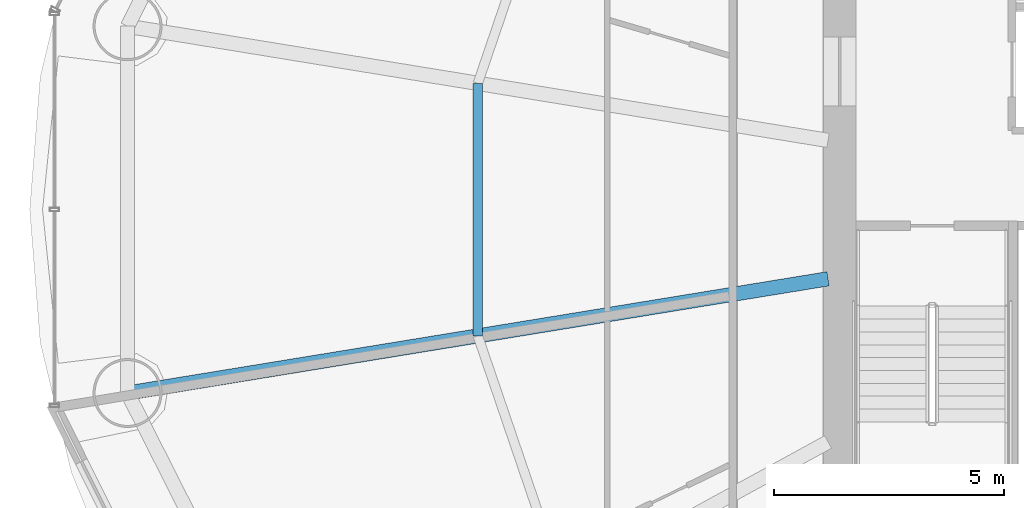
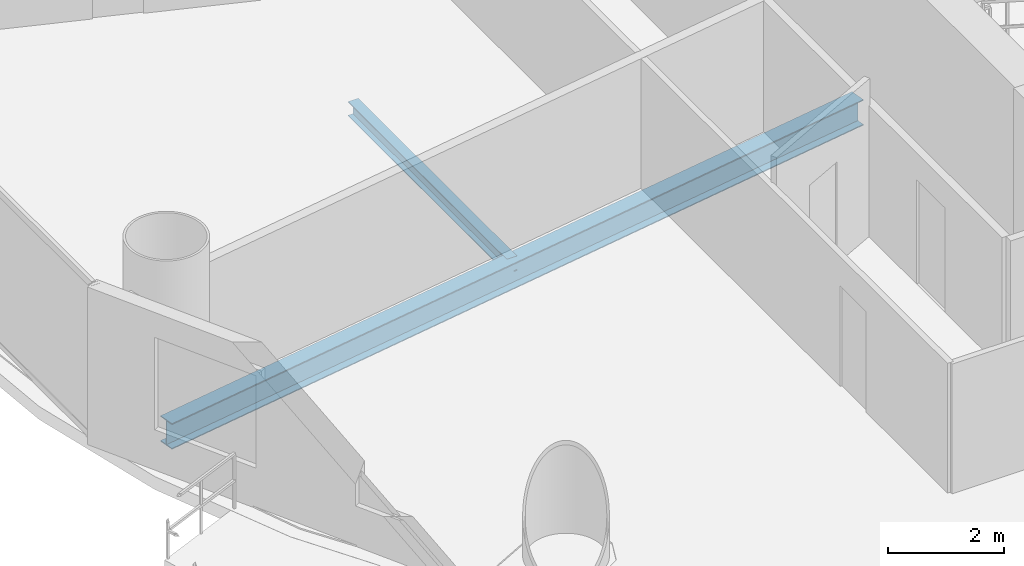
# One storey, part 8 of 29: 2 beams.
"""IFC4 building model written with IfcOpenShell, lengths in metres."""

import ifcopenshell
import ifcopenshell.guid

model = None  # the IFC model being written
_history = None  # IfcOwnerHistory: only IFC2X3 demands one
_inside = {}  # id of a spatial element -> (the spatial element, [elements in it])
_under = {}  # id of a project, library or spatial element -> (it, [spatial elements below it])
_declared = {}  # id of a project -> (the project, [libraries it declares])
_typed = {}  # id of a type object -> (the type object, [elements of that type])
_made_of = {}  # id of a material, layer set ... -> (it, [elements and type objects made of it])


def new_model(schema):
    """Start an empty IFC model of exactly this schema.

    Asked for "IFC4X3", IfcOpenShell would pick the latest addendum, in which some entities
    have other attributes; the version numbers below select the first issue.
    IFC2X3 requires an IfcOwnerHistory on every rooted entity: one is made here for all.
    """
    global model, _history
    if schema == "IFC4X3":
        model = ifcopenshell.file(schema_version=(4, 3, 0, 0))
    else:
        model = ifcopenshell.file(schema=schema)
    _inside.clear()
    _under.clear()
    _declared.clear()
    _typed.clear()
    _made_of.clear()
    _history = None
    if model.schema == "IFC2X3":
        org = make("IfcOrganization", Name="unknown")
        user = make(
            "IfcPersonAndOrganization",
            ThePerson=make("IfcPerson", FamilyName="unknown"),
            TheOrganization=org,
        )
        app = make(
            "IfcApplication",
            ApplicationDeveloper=org,
            Version="unknown",
            ApplicationFullName="unknown",
            ApplicationIdentifier="unknown",
        )
        _history = make(
            "IfcOwnerHistory",
            OwningUser=user,
            OwningApplication=app,
            ChangeAction="ADDED",
            CreationDate=0,
        )
    return model


def make(cls, **values):
    """One entity of the class cls with the attributes given. An attribute that is None is left unset."""
    return model.create_entity(
        cls, **{name: value for name, value in values.items() if value is not None}
    )


def rooted(cls, **values):
    """An entity with a GlobalId (a new one), such as an element, a storey or a relation."""
    return make(cls, GlobalId=ifcopenshell.guid.new(), OwnerHistory=_history, **values)


def si_unit(unit_type, name, prefix=None):
    """IfcSIUnit, for example si_unit("LENGTHUNIT", "METRE", prefix="MILLI")."""
    return make("IfcSIUnit", UnitType=unit_type, Prefix=prefix, Name=name)


def assignment(units):
    """IfcUnitAssignment: the units of a project."""
    return None if units is None else make("IfcUnitAssignment", Units=units)


def point(xyz):
    """IfcCartesianPoint."""
    return None if xyz is None else make("IfcCartesianPoint", Coordinates=xyz)


def direction(xyz):
    """IfcDirection."""
    return None if xyz is None else make("IfcDirection", DirectionRatios=xyz)


def frame(location, z_axis=None, x_axis=None):
    """IfcAxis2Placement3D, a coordinate frame: its origin and axes. An axis left out is left unset."""
    return make(
        "IfcAxis2Placement3D",
        Location=point(location),
        Axis=direction(z_axis),
        RefDirection=direction(x_axis),
    )


def frame_2d(location, x_axis=None):
    """IfcAxis2Placement2D, a coordinate frame in the plane: its origin and x axis."""
    return make(
        "IfcAxis2Placement2D", Location=point(location), RefDirection=direction(x_axis)
    )


def origin():
    """The frame at (0, 0, 0) with its axes left unset."""
    return frame((0.0, 0.0, 0.0))


def origin_2d():
    """The frame at (0, 0) in the plane with its x axis left unset."""
    return frame_2d((0.0, 0.0))


def place(relative_to, where):
    """IfcLocalPlacement: puts the frame where relative to a parent placement (None: the world)."""
    return make(
        "IfcLocalPlacement", PlacementRelTo=relative_to, RelativePlacement=where
    )


def context(
    kind, dimensions, precision=None, world=None, true_north=None, identifier=None
):
    """IfcGeometricRepresentationContext, for example the 3D "Model" context."""
    return make(
        "IfcGeometricRepresentationContext",
        ContextIdentifier=identifier,
        ContextType=kind,
        CoordinateSpaceDimension=dimensions,
        Precision=precision,
        WorldCoordinateSystem=world,
        TrueNorth=true_north,
    )


def subcontext(parent, identifier, kind, view, scale=None):
    """IfcGeometricRepresentationSubContext, for example "Body" below "Model"."""
    return make(
        "IfcGeometricRepresentationSubContext",
        ContextIdentifier=identifier,
        ContextType=kind,
        ParentContext=parent,
        TargetScale=scale,
        TargetView=view,
    )


def project(units=None, contexts=None):
    """IfcProject with its units and contexts."""
    return rooted(
        "IfcProject",
        Name="project",
        RepresentationContexts=contexts,
        UnitsInContext=assignment(units),
    )


def spatial(cls, under=None, at=None, **own):
    """A site, building, storey or space (cls), placed at a placement, below another one or the project."""
    s = rooted(cls, ObjectPlacement=at, **own)
    if under is not None:
        _under.setdefault(under.id(), (under, []))[1].append(s)
    return s


def profile(cls, at=None, kind="AREA", **sizes):
    """A parametric profile (cls). Its sizes go by their IFC names, for example OverallWidth=200.0."""
    return make(cls, ProfileType=kind, Position=at, **sizes)


def i_section(**sizes):
    """IfcIShapeProfileDef."""
    return profile("IfcIShapeProfileDef", **sizes)


def extrude(swept, where, along, depth):
    """IfcExtrudedAreaSolid: the profile swept, set in the frame where, extruded along a direction by depth."""
    return make(
        "IfcExtrudedAreaSolid",
        SweptArea=swept,
        Position=where,
        ExtrudedDirection=direction(along),
        Depth=depth,
    )


def shape(context_of_items, identifier, shape_type, items):
    """IfcShapeRepresentation: the items that make up one representation, for example the "Body"."""
    return make(
        "IfcShapeRepresentation",
        ContextOfItems=context_of_items,
        RepresentationIdentifier=identifier,
        RepresentationType=shape_type,
        Items=items,
    )


def material(Name=None, Category=None):
    """IfcMaterial."""
    return make("IfcMaterial", Name=Name, Category=Category)


def material_profile(
    of_material, cross_section, Name=None, Category=None, Priority=None
):
    """IfcMaterialProfile: a cross section and its material."""
    return make(
        "IfcMaterialProfile",
        Name=Name,
        Material=of_material,
        Profile=cross_section,
        Priority=Priority,
        Category=Category,
    )


def profile_set(profiles, Name=None, composite=None):
    """IfcMaterialProfileSet."""
    return make(
        "IfcMaterialProfileSet",
        Name=Name,
        MaterialProfiles=profiles,
        CompositeProfile=composite,
    )


def made_of(thing, what):
    """Note that an element or type object is made of a material, layer set ...; save() writes the relation."""
    if what is not None:
        _made_of.setdefault(what.id(), (what, []))[1].append(thing)
    return thing


def type_object(cls, material=None, **own):
    """A type object (cls), such as IfcWallType, which elements share."""
    return made_of(rooted(cls, **own), material)


def element(
    cls,
    number,
    at=None,
    inside=None,
    cuts=None,
    type_object=None,
    material=None,
    context=None,
    identifier="Body",
    shape_type=None,
    held_by="IfcProductDefinitionShape",
    body=None,
    shapes=None,
    **own,
):
    """One element of the class cls, such as IfcWall. Its Tag is "e" and its number.

    at: its placement. inside: the storey or other place that contains it. cuts: it is an
    opening in that element (IfcRelVoidsElement). A single representation is given by context,
    identifier, shape_type and body (its items); several are given by shapes. held_by: the class
    of the entity that holds the representations. save() writes the other relations.
    """
    e = rooted(cls, Tag="e%d" % number, ObjectPlacement=at, **own)
    if body is not None:
        shapes = [shape(context, identifier, shape_type, body)]
    if shapes is not None:
        e.Representation = make(held_by, Representations=shapes)
    if inside is not None:
        _inside.setdefault(inside.id(), (inside, []))[1].append(e)
    if cuts is not None:
        rooted(
            "IfcRelVoidsElement", RelatingBuildingElement=cuts, RelatedOpeningElement=e
        )
    if type_object is not None:
        _typed.setdefault(type_object.id(), (type_object, []))[1].append(e)
    return made_of(e, material)


def aggregate(whole, parts):
    """IfcRelAggregates: a whole, such as a stair, and the parts it consists of."""
    return rooted("IfcRelAggregates", RelatingObject=whole, RelatedObjects=parts)


def save(model, path):
    """Write the relations noted so far, then the file.

    IfcRelAggregates (storeys below a building ...), IfcRelContainedInSpatialStructure (elements
    in a storey), IfcRelDefinesByType, IfcRelAssociatesMaterial and IfcRelDeclares: one each for
    every whole, place, type object, material and project.
    """
    for whole, parts in _under.values():
        aggregate(whole, parts)
    for where, things in _inside.values():
        rooted(
            "IfcRelContainedInSpatialStructure",
            RelatedElements=things,
            RelatingStructure=where,
        )
    for kind, things in _typed.values():
        rooted("IfcRelDefinesByType", RelatedObjects=things, RelatingType=kind)
    for what, things in _made_of.values():
        rooted("IfcRelAssociatesMaterial", RelatedObjects=things, RelatingMaterial=what)
    for by, libraries in _declared.values():
        rooted("IfcRelDeclares", RelatingContext=by, RelatedDefinitions=libraries)
    model.write(path)


model = new_model("IFC4")

# Units and contexts
model_context = context("Model", 3, precision=1e-05, world=origin(), true_north=direction((-0.2419218956, 0.970295726276)))
body_context = subcontext(model_context, "Body", "Model", "MODEL_VIEW")
ifc_project = project(units=[si_unit("LENGTHUNIT", "METRE"), si_unit("AREAUNIT", "SQUARE_METRE"), si_unit("VOLUMEUNIT", "CUBIC_METRE"), si_unit("PLANEANGLEUNIT", "RADIAN"), si_unit("MASSUNIT", "GRAM", prefix="KILO")], contexts=[model_context])

# Site, building, storey
site_placement = place(None, origin())
site = spatial("IfcSite", under=ifc_project, at=site_placement, CompositionType="ELEMENT")
building_placement = place(site_placement, origin())
building = spatial("IfcBuilding", under=site, at=building_placement, Name="Cobrevalo Terracotta Tower", CompositionType="ELEMENT")
storey_placement = place(building_placement, frame((0.0, 0.0, 79.800048828125)))
storey = spatial("IfcBuildingStorey", under=building, at=storey_placement, Name="L20", CompositionType="ELEMENT", Elevation=79.800048828125)

# Beams
ifc_material = material(Name="Steel S355", Category="steel")
ifc_material_profile_1 = material_profile(ifc_material, i_section(OverallWidth=0.31201171875, OverallDepth=0.54296875, WebThickness=0.0126953125, FlangeThickness=0.020263671875, at=origin_2d()), Name="W 530x150")
ifc_profile_set_1 = profile_set([ifc_material_profile_1], Name="Steel S355")
beam_type_1 = type_object("IfcBeamType", Name="Structural Beam W 530x150 (Steel S355)", PredefinedType="BEAM", material=ifc_profile_set_1)
beam_1_placement = place(storey_placement, frame((13.529296875, 22.810302734375, -0.546630859375), z_axis=(0.986968056587, 0.160916298977, 0.0), x_axis=(-0.160916298977, 0.986968056587, 0.0)))
element("IfcBeam", 1, at=beam_1_placement, inside=storey, type_object=beam_type_1, Name="L20 radial floor girder 09", PredefinedType="BEAM", context=body_context, shape_type="SweptSolid", body=[
    extrude(i_section(OverallWidth=0.31201171875, OverallDepth=0.54296875, WebThickness=0.0126953125, FlangeThickness=0.020263671875, at=origin_2d()), origin(), (0.0, 0.0, 1.0), 15.44189453125),
])
ifc_material_profile_2 = material_profile(ifc_material, i_section(OverallWidth=0.2041015625, OverallDepth=0.305908203125, WebThickness=0.008544921875, FlangeThickness=0.0146484375, at=origin_2d()), Name="W 310x67")
ifc_profile_set_2 = profile_set([ifc_material_profile_2], Name="Steel S355")
beam_type_2 = type_object("IfcBeamType", Name="Structural Joist W 310x67 (Steel S355)", PredefinedType="JOIST", material=ifc_profile_set_2)
beam_2_placement = place(storey_placement, frame((21.149658203125, 29.547119140625, -0.427978515625), z_axis=(0.0, -1.0, 0.0), x_axis=(1.0, 0.0, 0.0)))
element("IfcBeam", 2, at=beam_2_placement, inside=storey, type_object=beam_type_2, Name="L20 circumferential secondary floor joist 08", PredefinedType="JOIST", context=body_context, shape_type="SweptSolid", body=[
    extrude(i_section(OverallWidth=0.2041015625, OverallDepth=0.305908203125, WebThickness=0.008544921875, FlangeThickness=0.0146484375, at=origin_2d()), origin(), (0.0, 0.0, 1.0), 5.494384765625),
])

save(model, "model.ifc")
